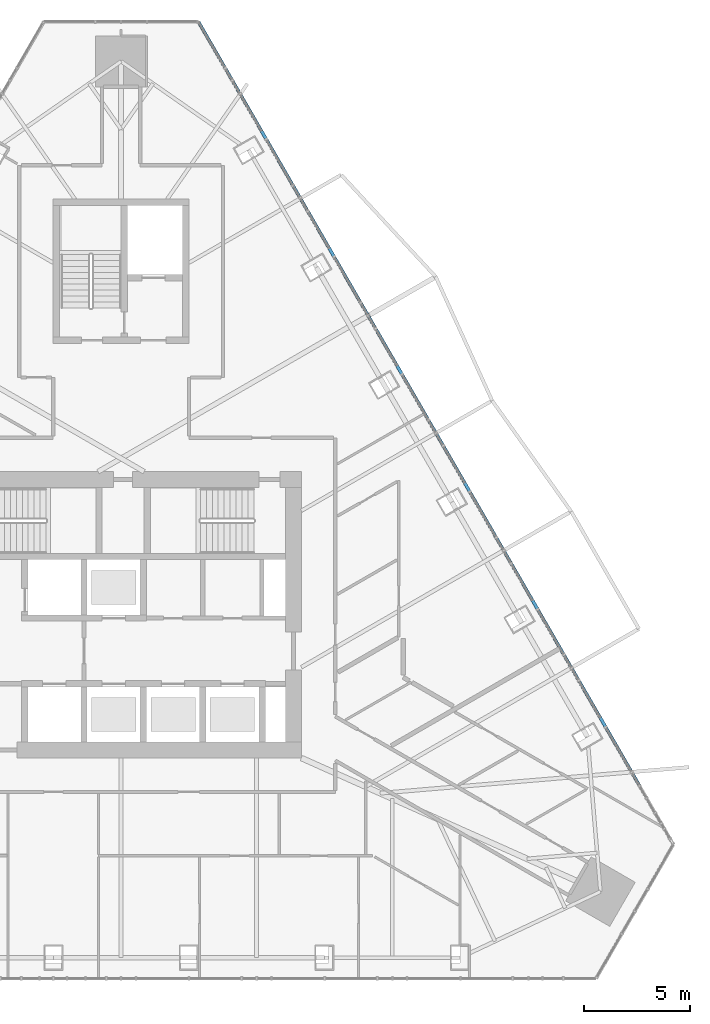
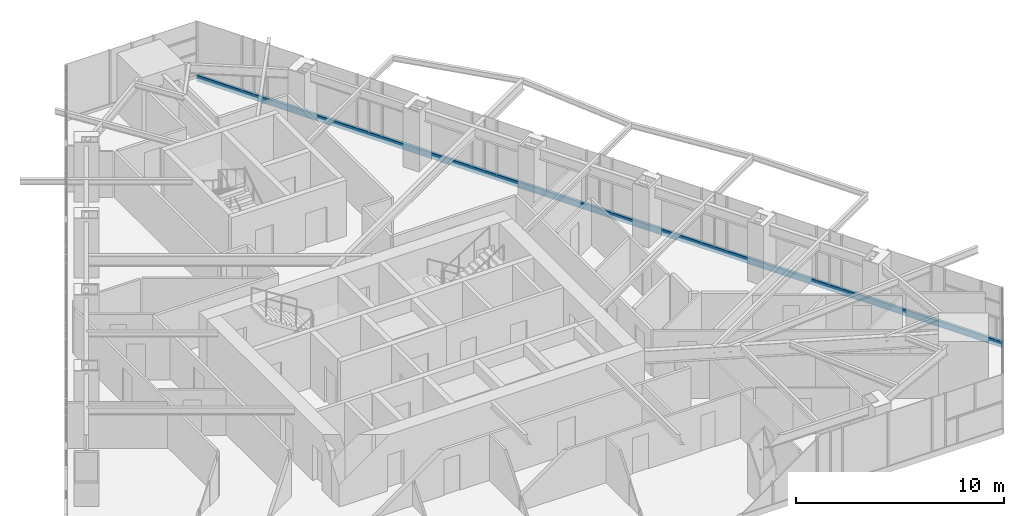
# One storey, part 10 of 26: 1 member, 1 element without a shape of its own.
"""IFC4 building model written with IfcOpenShell, lengths in metres."""

from ifc_helpers import new_model, si_unit, direction, frame, origin, origin_2d, place, context, subcontext, project, spatial, rectangle, extrude, material, layer, layer_set, material_profile, profile_set, type_object, element, aggregate, save


model = new_model("IFC4")

# Units and contexts
model_context = context("Model", 3, precision=1e-05, world=origin(), true_north=direction((0.0, 1.0)))
body_context = subcontext(model_context, "Body", "Model", "MODEL_VIEW")
ifc_project = project(units=[si_unit("LENGTHUNIT", "METRE"), si_unit("AREAUNIT", "SQUARE_METRE"), si_unit("VOLUMEUNIT", "CUBIC_METRE"), si_unit("PLANEANGLEUNIT", "RADIAN"), si_unit("MASSUNIT", "GRAM", prefix="KILO")], contexts=[model_context])

# Site, building, storey
site_placement = place(None, origin())
site = spatial("IfcSite", under=ifc_project, at=site_placement, CompositionType="ELEMENT")
building_placement = place(site_placement, origin())
building = spatial("IfcBuilding", under=site, at=building_placement, Name="Firuza Gate Tower and Library", CompositionType="ELEMENT")
storey_placement = place(building_placement, frame((0.0, 0.0, 288.10009765625)))
storey = spatial("IfcBuildingStorey", under=building, at=storey_placement, Name="L69", CompositionType="ELEMENT", Elevation=288.10009765625)

# Curtain wall, member
ifc_material_1 = material(Name="Aluminium 6063-T6", Category="aluminium")
ifc_layer = layer(ifc_material_1, 0.14990234375)
ifc_layer_set = layer_set([ifc_layer], Name="Unitised curtain wall, residences")
curtain_wall_type = type_object("IfcCurtainWallType", Name="Unitised curtain wall, residences", PredefinedType="NOTDEFINED", material=ifc_layer_set)
curtain_wall_placement = place(storey_placement, origin())
curtain_wall = element("IfcCurtainWall", 1, at=curtain_wall_placement, inside=storey, type_object=curtain_wall_type, Name="CW3 L69 E face", PredefinedType="NOTDEFINED")
ifc_material_2 = material(Name="Aluminium 6063-T6", Category="aluminium")
ifc_material_profile = material_profile(ifc_material_2, rectangle(XDim=0.14990234375, YDim=0.35009765625, at=origin_2d()))
ifc_profile_set = profile_set([ifc_material_profile], Name="Aluminium 6063-T6")
member_type = type_object("IfcMemberType", Name="Curtain wall transom 350x150", PredefinedType="USERDEFINED", material=ifc_profile_set)
member_placement = place(storey_placement, frame((101.04931640625, 64.16748046875, -0.025146484375), z_axis=(-0.500002271502, 0.866024092328, 0.0), x_axis=(-0.866024092328, -0.500002271502, 0.0)))
member = element("IfcMember", 2, at=member_placement, type_object=member_type, Name="Transom", ObjectType="TRANSOM", PredefinedType="USERDEFINED", context=body_context, shape_type="SweptSolid", body=[
    extrude(rectangle(XDim=0.14990234375, YDim=0.35009765625, at=origin_2d()), origin(), (0.0, 0.0, 1.0), 44.811767578125),
])
aggregate(curtain_wall, [member])

save(model, "model.ifc")
